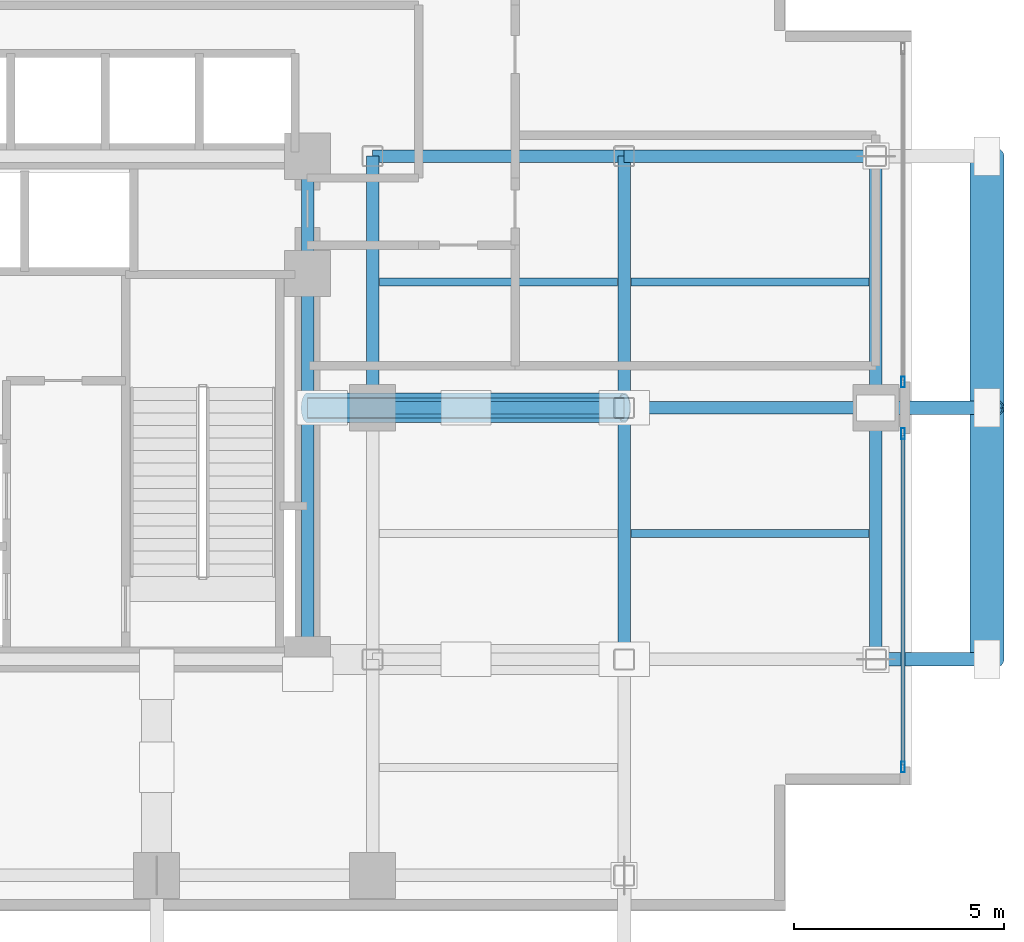
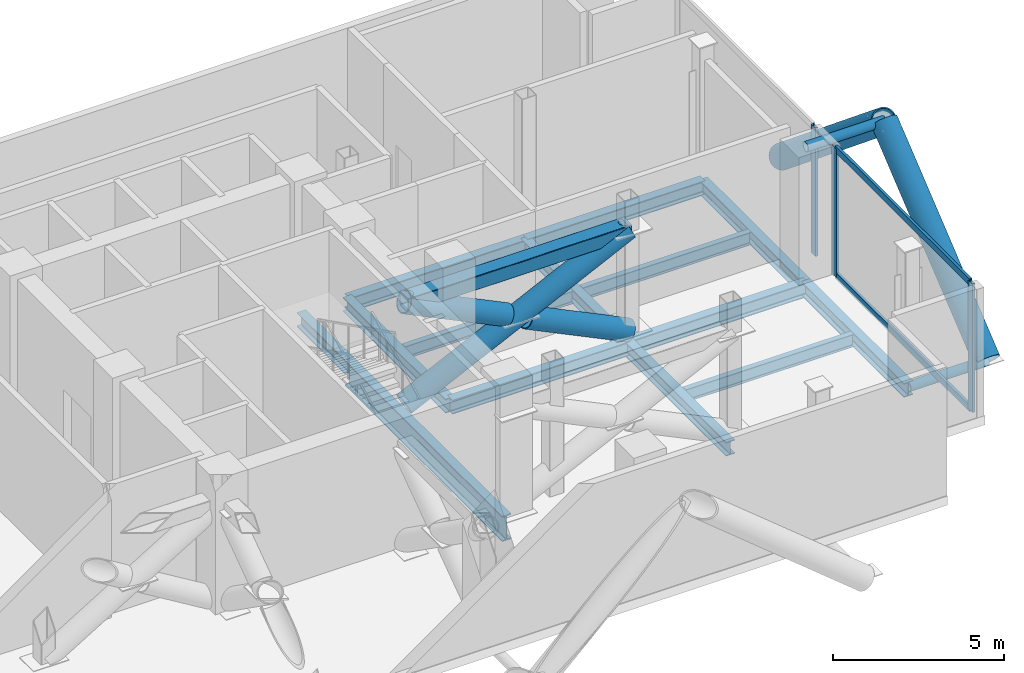
# One storey, part 3 of 9: 14 beams, 13 members, 2 elements without a shape of their own.
"""IFC4 building model written with IfcOpenShell, lengths in metres."""

from ifc_helpers import new_model, si_unit, direction, frame, origin, origin_2d, place, context, subcontext, project, spatial, hollow_rectangle, hollow_circle, i_section, extrude, material, layer, layer_set, material_profile, profile_set, type_object, element, aggregate, save


model = new_model("IFC4")

# Units and contexts
model_context = context("Model", 3, precision=1e-05, world=origin(), true_north=direction((0.0, 1.0)))
body_context = subcontext(model_context, "Body", "Model", "MODEL_VIEW")
ifc_project = project(units=[si_unit("LENGTHUNIT", "METRE"), si_unit("AREAUNIT", "SQUARE_METRE"), si_unit("VOLUMEUNIT", "CUBIC_METRE"), si_unit("PLANEANGLEUNIT", "RADIAN"), si_unit("MASSUNIT", "GRAM", prefix="KILO"), si_unit("THERMODYNAMICTEMPERATUREUNIT", "KELVIN"), si_unit("POWERUNIT", "WATT")], contexts=[model_context])

# Site, building, storey
site_placement = place(None, origin())
site = spatial("IfcSite", under=ifc_project, at=site_placement, CompositionType="ELEMENT")
building_placement = place(site_placement, origin())
building = spatial("IfcBuilding", under=site, at=building_placement, Name="Svarakhadi Broadcast Tower", CompositionType="ELEMENT")
storey_placement = place(building_placement, frame((0.0, 0.0, 164.39990234375)))
storey = spatial("IfcBuildingStorey", under=building, at=storey_placement, Name="L40", CompositionType="ELEMENT", Elevation=164.39990234375)

# Beams
ifc_material_1 = material(Name="Steel S355J2 (IS 2062 E350C)", Category="steel")
ifc_material_profile_1 = material_profile(ifc_material_1, i_section(OverallWidth=0.18994140625, OverallDepth=0.449951171875, WebThickness=0.009521484375, FlangeThickness=0.0146484375, FilletRadius=0.02099609375, at=origin_2d()), Name="NPB 450x190x78")
ifc_profile_set_1 = profile_set([ifc_material_profile_1], Name="Steel S355J2 (IS 2062 E350C)")
beam_type_1 = type_object("IfcBeamType", Name="Beam_NPB450", PredefinedType="BEAM", material=ifc_profile_set_1)
for number, where, z_axis, x_axis, name in (
    (1, (35.31005859375, 15.0, -0.5498046875), (1.0, 0.0, 0.0), (0.0, 1.0, 0.0), "L40 Secondary Composite Beam SB021"),
    (2, (41.31005859375, 9.0, -0.5498046875), (1.0, 0.0, 0.0), (0.0, 1.0, 0.0), "L40 Secondary Composite Beam SB022"),
    (3, (41.31005859375, 15.0, -0.5498046875), (1.0, 0.0, 0.0), (0.0, 1.0, 0.0), "L40 Secondary Composite Beam SB023"),
):
    element("IfcBeam", number, at=place(storey_placement, frame(where, z_axis=z_axis, x_axis=x_axis)), inside=storey, type_object=beam_type_1, Name=name, PredefinedType="BEAM", context=body_context, shape_type="SweptSolid", body=[
        extrude(i_section(OverallWidth=0.18994140625, OverallDepth=0.449951171875, WebThickness=0.009521484375, FlangeThickness=0.0146484375, FilletRadius=0.02099609375, at=origin_2d()), origin(), (0.0, 0.0, 1.0), 5.679931640625),
    ])

# Curtain wall, member
ifc_material_2 = material(Name="Anodised Bronze Aluminium AA 6063-T6", Category="aluminium")
ifc_layer = layer(ifc_material_2, 0.260009765625)
ifc_layer_set = layer_set([ifc_layer], Name="Anodised Bronze Aluminium AA 6063-T6")
curtain_wall_type = type_object("IfcCurtainWallType", Name="CW_Sys_07", PredefinedType="NOTDEFINED", material=ifc_layer_set)
curtain_wall_1_placement = place(storey_placement, origin())
curtain_wall_1 = element("IfcCurtainWall", 4, at=curtain_wall_1_placement, inside=storey, type_object=curtain_wall_type, Name="L40 East Plant Daylighting Curtain Wall CW-07 Bay 1", PredefinedType="NOTDEFINED")
ifc_material_profile_2 = material_profile(ifc_material_2, hollow_rectangle(XDim=0.090087890625, YDim=0.260009765625, WallThickness=0.005615234375, at=origin_2d()), Name="ALU MULLION 260x90x6")
ifc_profile_set_2 = profile_set([ifc_material_profile_2], Name="Anodised Bronze Aluminium AA 6063-T6")
member_type_1 = type_object("IfcMemberType", Name="CW_Sys_07_Mul", PredefinedType="MULLION", material=ifc_profile_set_2)
member_1_placement = place(storey_placement, frame((47.800048828125, 12.614990234375, 0.0), z_axis=(0.0, 0.0, 1.0), x_axis=(1.0, 0.0, 0.0)))
member_1 = element("IfcMember", 5, at=member_1_placement, type_object=member_type_1, Name="CW-07 mullion 2", PredefinedType="MULLION", context=body_context, shape_type="SweptSolid", body=[
    extrude(hollow_rectangle(XDim=0.090087890625, YDim=0.260009765625, WallThickness=0.005615234375, at=origin_2d()), origin(), (0.0, 0.0, 1.0), 4.590087890625),
])
aggregate(curtain_wall_1, [member_1])

# Curtain wall, members
curtain_wall_2_placement = place(storey_placement, origin())
curtain_wall_2 = element("IfcCurtainWall", 6, at=curtain_wall_2_placement, inside=storey, type_object=curtain_wall_type, Name="L40 East Plant Daylighting Curtain Wall CW-07 Bay 2", PredefinedType="NOTDEFINED")
member_2_placement = place(storey_placement, frame((47.800048828125, 11.385009765625, 0.0), z_axis=(0.0, 0.0, 1.0), x_axis=(1.0, 0.0, 0.0)))
member_2 = element("IfcMember", 7, at=member_2_placement, type_object=member_type_1, Name="CW-07 mullion 1", PredefinedType="MULLION", context=body_context, shape_type="SweptSolid", body=[
    extrude(hollow_rectangle(XDim=0.090087890625, YDim=0.260009765625, WallThickness=0.005615234375, at=origin_2d()), origin(), (0.0, 0.0, 1.0), 4.590087890625),
])
member_3_placement = place(storey_placement, frame((47.800048828125, 3.43505859375, 0.0), z_axis=(0.0, 0.0, 1.0), x_axis=(1.0, 0.0, 0.0)))
member_3 = element("IfcMember", 8, at=member_3_placement, type_object=member_type_1, Name="CW-07 mullion 2", PredefinedType="MULLION", context=body_context, shape_type="SweptSolid", body=[
    extrude(hollow_rectangle(XDim=0.090087890625, YDim=0.260009765625, WallThickness=0.005615234375, at=origin_2d()), origin(), (0.0, 0.0, 1.0), 4.590087890625),
])
ifc_material_profile_3 = material_profile(ifc_material_2, hollow_rectangle(XDim=0.090087890625, YDim=0.22998046875, WallThickness=0.0048828125, at=origin_2d()), Name="ALU TRANSOM 230x90x5")
ifc_profile_set_3 = profile_set([ifc_material_profile_3], Name="Anodised Bronze Aluminium AA 6063-T6")
member_type_2 = type_object("IfcMemberType", Name="CW_Sys_07_Trn", PredefinedType="USERDEFINED", material=ifc_profile_set_3)
member_4_placement = place(storey_placement, frame((47.800048828125, 11.340087890625, 0.045166015625), z_axis=(0.0, -1.0, 0.0), x_axis=(1.0, 0.0, 0.0)))
member_4 = element("IfcMember", 9, at=member_4_placement, type_object=member_type_2, Name="CW-07 transom 1.1", ObjectType="TRANSOM", PredefinedType="USERDEFINED", context=body_context, shape_type="SweptSolid", body=[
    extrude(hollow_rectangle(XDim=0.090087890625, YDim=0.22998046875, WallThickness=0.0048828125, at=origin_2d()), origin(), (0.0, 0.0, 1.0), 7.860107421875),
])
member_5_placement = place(storey_placement, frame((47.800048828125, 11.340087890625, 4.545166015625), z_axis=(0.0, -1.0, 0.0), x_axis=(1.0, 0.0, 0.0)))
member_5 = element("IfcMember", 10, at=member_5_placement, type_object=member_type_2, Name="CW-07 transom 1.2", ObjectType="TRANSOM", PredefinedType="USERDEFINED", context=body_context, shape_type="SweptSolid", body=[
    extrude(hollow_rectangle(XDim=0.090087890625, YDim=0.22998046875, WallThickness=0.0048828125, at=origin_2d()), origin(), (0.0, 0.0, 1.0), 7.860107421875),
])
aggregate(curtain_wall_2, [member_2, member_3, member_4, member_5])

# Members
ifc_material_3 = material(Name="Steel S460ML (IS 2062 E450BR)", Category="steel")
ifc_material_profile_4 = material_profile(ifc_material_3, hollow_circle(Radius=0.406494140625, WallThickness=0.0400390625, at=origin_2d()), Name="CHS 813x40")
ifc_profile_set_4 = profile_set([ifc_material_profile_4], Name="Steel S460ML (IS 2062 E450BR)")
member_type_3 = type_object("IfcMemberType", Name="Exo_Brace_CHS813", PredefinedType="BRACE", material=ifc_profile_set_4)
for number, where, z_axis, x_axis, name in (
    (11, (49.800048828125, 6.0, -0.48681640625), (0.0, 0.773581307551, 0.633697057439), (-1.0, 0.0, 0.0), "L40 Exposed Bronze Exoskeleton Diagonal E12"),
    (12, (49.800048828125, 18.0, -0.48681640625), (0.0, -0.773581307551, 0.633697057439), (1.0, 0.0, 0.0), "L40 Exposed Bronze Exoskeleton Diagonal E13"),
):
    element("IfcMember", number, at=place(storey_placement, frame(where, z_axis=z_axis, x_axis=x_axis)), inside=storey, type_object=member_type_3, Name=name, PredefinedType="BRACE", context=body_context, shape_type="SweptSolid", body=[
        extrude(hollow_circle(Radius=0.406494140625, WallThickness=0.0400390625, at=origin_2d()), origin(), (0.0, 0.0, 1.0), 7.756103515625),
    ])
ifc_material_profile_5 = material_profile(ifc_material_3, hollow_circle(Radius=0.161865234375, WallThickness=0.01611328125, at=origin_2d()), Name="CHS 323.9x16")
ifc_profile_set_5 = profile_set([ifc_material_profile_5], Name="Steel S460ML (IS 2062 E450BR)")
member_type_4 = type_object("IfcMemberType", Name="Exo_Radial_Strut_Z2", PredefinedType="STRUT", material=ifc_profile_set_5)
for number, where, z_axis, x_axis, name in (
    (13, (49.800048828125, 6.0, -0.48681640625), (-1.0, 0.0, 0.0), (0.0, -1.0, 0.0), "L40 Exoskeleton Radial Tie Strut E08"),
    (14, (49.800048828125, 12.0, 4.42822265625), (-1.0, 0.0, 0.0), (0.0, -1.0, 0.0), "L40 Exoskeleton Setback Top Radial Tie E01"),
):
    element("IfcMember", number, at=place(storey_placement, frame(where, z_axis=z_axis, x_axis=x_axis)), inside=storey, type_object=member_type_4, Name=name, PredefinedType="STRUT", context=body_context, shape_type="SweptSolid", body=[
        extrude(hollow_circle(Radius=0.161865234375, WallThickness=0.01611328125, at=origin_2d()), origin(), (0.0, 0.0, 1.0), 2.650146484375),
    ])

# Beams
ifc_material_profile_6 = material_profile(ifc_material_1, i_section(OverallWidth=0.300048828125, OverallDepth=0.5, WebThickness=0.014404296875, FlangeThickness=0.028076171875, FilletRadius=0.027099609375, at=origin_2d()), Name="WPB 500x300x187")
ifc_profile_set_6 = profile_set([ifc_material_profile_6], Name="Steel S355J2 (IS 2062 E350C)")
beam_type_2 = type_object("IfcBeamType", Name="Girder_WPB500", PredefinedType="USERDEFINED", material=ifc_profile_set_6)
for number, where, z_axis, x_axis, name in (
    (15, (35.14990234375, 12.0, -0.574951171875), (1.0, 0.0, 0.0), (0.0, 1.0, 0.0), "L40 Primary E-W Girder G021"),
    (16, (41.14990234375, 12.0, -0.574951171875), (1.0, 0.0, 0.0), (0.0, 1.0, 0.0), "L40 Primary E-W Girder G022"),
    (17, (35.14990234375, 18.0, -0.574951171875), (1.0, 0.0, 0.0), (0.0, 1.0, 0.0), "L40 Primary E-W Girder G028"),
    (18, (41.14990234375, 18.0, -0.574951171875), (1.0, 0.0, 0.0), (0.0, 1.0, 0.0), "L40 Primary E-W Girder G029"),
):
    element("IfcBeam", number, at=place(storey_placement, frame(where, z_axis=z_axis, x_axis=x_axis)), inside=storey, type_object=beam_type_2, Name=name, ObjectType="GIRDER", PredefinedType="USERDEFINED", context=body_context, shape_type="SweptSolid", body=[
        extrude(i_section(OverallWidth=0.300048828125, OverallDepth=0.5, WebThickness=0.014404296875, FlangeThickness=0.028076171875, FilletRadius=0.027099609375, at=origin_2d()), origin(), (0.0, 0.0, 1.0), 6.0),
    ])
beam_1_placement = place(storey_placement, frame((33.60009765625, 15.199951171875, -0.574951171875), z_axis=(0.0, 1.0, 0.0), x_axis=(-1.0, 0.0, 0.0)))
element("IfcBeam", 19, at=beam_1_placement, inside=storey, type_object=beam_type_2, Name="L40 Primary N-S Girder G066", ObjectType="GIRDER", PredefinedType="USERDEFINED", context=body_context, shape_type="SweptSolid", body=[
    extrude(i_section(OverallWidth=0.300048828125, OverallDepth=0.5, WebThickness=0.014404296875, FlangeThickness=0.028076171875, FilletRadius=0.027099609375, at=origin_2d()), origin(), (0.0, 0.0, 1.0), 2.800048828125),
])
for number, where, z_axis, x_axis, name in (
    (20, (35.14990234375, 12.0, -0.574951171875), (0.0, 1.0, 0.0), (-1.0, 0.0, 0.0), "L40 Primary N-S Girder G069"),
    (21, (41.14990234375, 6.0, -0.574951171875), (0.0, 1.0, 0.0), (-1.0, 0.0, 0.0), "L40 Primary N-S Girder G071"),
    (22, (41.14990234375, 12.0, -0.574951171875), (0.0, 1.0, 0.0), (-1.0, 0.0, 0.0), "L40 Primary N-S Girder G072"),
    (23, (47.14990234375, 6.0, -0.574951171875), (0.0, 1.0, 0.0), (-1.0, 0.0, 0.0), "L40 Primary N-S Girder G073"),
    (24, (47.14990234375, 12.0, -0.574951171875), (0.0, 1.0, 0.0), (-1.0, 0.0, 0.0), "L40 Primary N-S Girder G074"),
):
    element("IfcBeam", number, at=place(storey_placement, frame(where, z_axis=z_axis, x_axis=x_axis)), inside=storey, type_object=beam_type_2, Name=name, ObjectType="GIRDER", PredefinedType="USERDEFINED", context=body_context, shape_type="SweptSolid", body=[
        extrude(i_section(OverallWidth=0.300048828125, OverallDepth=0.5, WebThickness=0.014404296875, FlangeThickness=0.028076171875, FilletRadius=0.027099609375, at=origin_2d()), origin(), (0.0, 0.0, 1.0), 6.0),
    ])
ifc_material_profile_7 = material_profile(ifc_material_3, i_section(OverallWidth=0.300048828125, OverallDepth=0.89990234375, WebThickness=0.0185546875, FlangeThickness=0.034912109375, FilletRadius=0.030029296875, at=origin_2d()), Name="WPB 900x300x291")
ifc_profile_set_7 = profile_set([ifc_material_profile_7], Name="Steel S460ML (IS 2062 E450BR)")
beam_type_3 = type_object("IfcBeamType", Name="Girder_WPB900", PredefinedType="USERDEFINED", material=ifc_profile_set_7)
beam_2_placement = place(storey_placement, frame((33.60009765625, 6.0, -0.77490234375), z_axis=(0.0, 1.0, 0.0), x_axis=(-1.0, 0.0, 0.0)))
element("IfcBeam", 25, at=beam_2_placement, inside=storey, type_object=beam_type_3, Name="L40 Primary N-S Girder G065", ObjectType="GIRDER", PredefinedType="USERDEFINED", context=body_context, shape_type="SweptSolid", body=[
    extrude(i_section(OverallWidth=0.300048828125, OverallDepth=0.89990234375, WebThickness=0.0185546875, FlangeThickness=0.034912109375, FilletRadius=0.030029296875, at=origin_2d()), origin(), (0.0, 0.0, 1.0), 9.199951171875),
])

# Members
ifc_material_profile_8 = material_profile(ifc_material_3, hollow_circle(Radius=0.35546875, WallThickness=0.034912109375, at=origin_2d()), Name="CHS 711x35")
ifc_profile_set_8 = profile_set([ifc_material_profile_8], Name="Steel S460ML (IS 2062 E450BR)")
member_type_5 = type_object("IfcMemberType", Name="Outrigger_Brace_OT01", PredefinedType="BRACE", material=ifc_profile_set_8)
member_6_placement = place(storey_placement, frame((33.60009765625, 12.0, 0.0), z_axis=(0.900766239544, 0.0, 0.434304250149), x_axis=(0.0, 1.0, 0.0)))
element("IfcMember", 26, at=member_6_placement, inside=storey, type_object=member_type_5, Name="L40 Core-to-Perimeter Outrigger Truss Diagonal OT-08A", PredefinedType="BRACE", context=body_context, shape_type="SweptSolid", body=[
    extrude(hollow_circle(Radius=0.35546875, WallThickness=0.034912109375, at=origin_2d()), origin(), (0.0, 0.0, 1.0), 8.381591796875),
])
for number, where, z_axis, x_axis, name in (
    (27, (41.14990234375, 12.0, 0.0), (-0.900751782249, 0.0, 0.434334233943), (0.0, -1.0, 0.0), "L40 Core-to-Perimeter Outrigger Truss Diagonal OT-08B1"),
    (28, (37.0546875, 12.0, 1.974609375), (-0.90077668596, 0.0, 0.434282583153), (0.0, -1.0, 0.0), "L40 Core-to-Perimeter Outrigger Truss Diagonal OT-08B2"),
):
    element("IfcMember", number, at=place(storey_placement, frame(where, z_axis=z_axis, x_axis=x_axis)), inside=storey, type_object=member_type_5, Name=name, PredefinedType="BRACE", context=body_context, shape_type="SweptSolid", body=[
        extrude(hollow_circle(Radius=0.35546875, WallThickness=0.034912109375, at=origin_2d()), origin(), (0.0, 0.0, 1.0), 3.835205078125),
    ])
ifc_material_profile_9 = material_profile(ifc_material_3, hollow_rectangle(XDim=0.5, YDim=0.5, WallThickness=0.02490234375, InnerFilletRadius=0.02490234375, OuterFilletRadius=0.0400390625, at=origin_2d()), Name="SHS 500x500x25")
ifc_profile_set_9 = profile_set([ifc_material_profile_9], Name="Steel S460ML (IS 2062 E450BR)")
member_type_6 = type_object("IfcMemberType", Name="Outrigger_Truss_Chord", PredefinedType="CHORD", material=ifc_profile_set_9)
member_7_placement = place(storey_placement, frame((33.60009765625, 12.0, 3.64013671875), z_axis=(1.0, 0.0, 0.0), x_axis=(0.0, 1.0, 0.0)))
element("IfcMember", 29, at=member_7_placement, inside=storey, type_object=member_type_6, Name="L40 Outrigger Truss Top Chord OC-08", PredefinedType="CHORD", context=body_context, shape_type="SweptSolid", body=[
    extrude(hollow_rectangle(XDim=0.5, YDim=0.5, WallThickness=0.02490234375, InnerFilletRadius=0.02490234375, OuterFilletRadius=0.0400390625, at=origin_2d()), origin(), (0.0, 0.0, 1.0), 7.5498046875),
])

save(model, "model.ifc")
